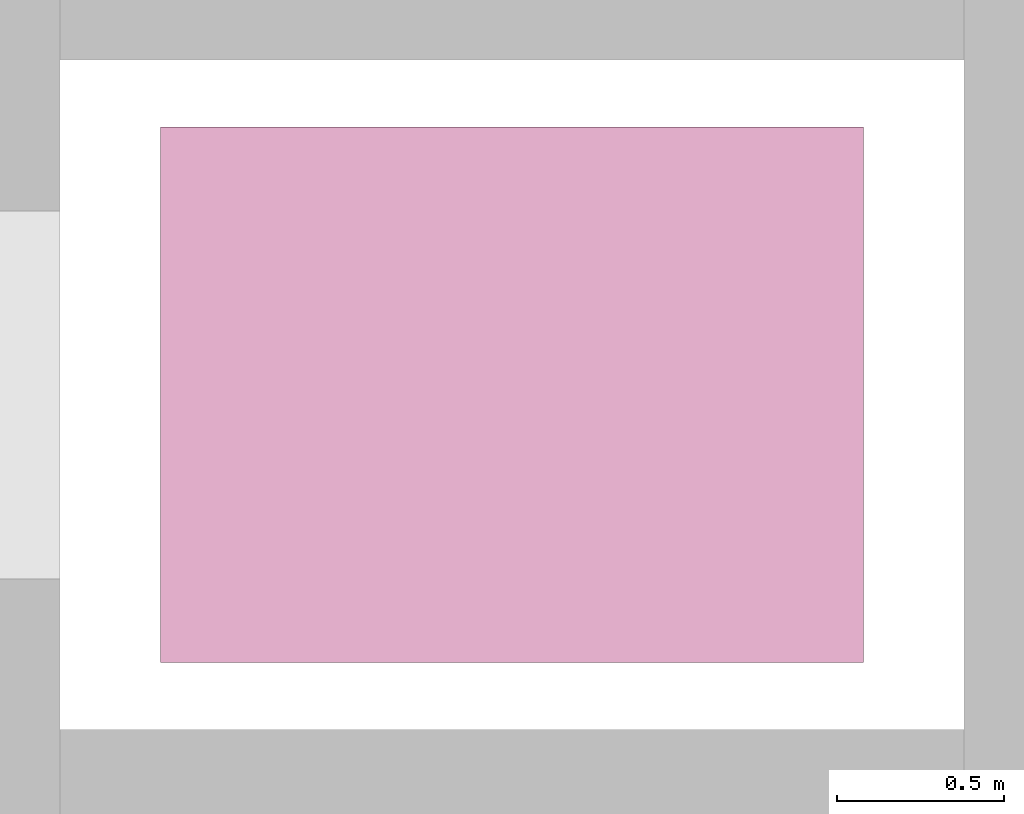
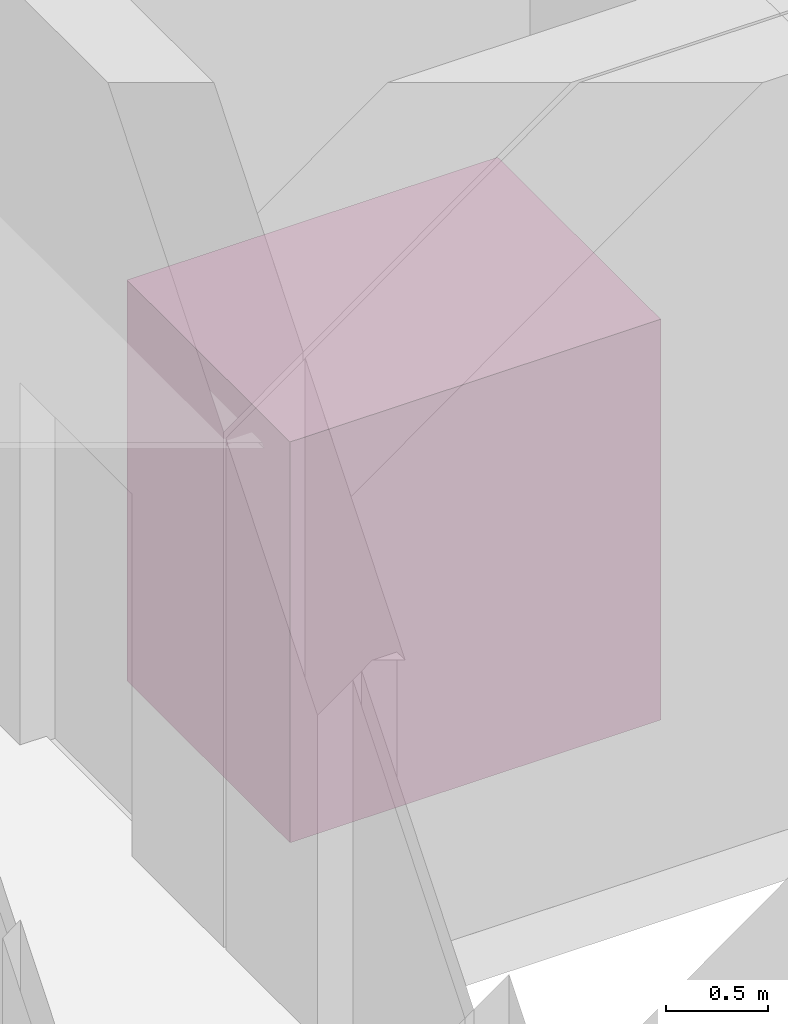
# One storey, part 57 of 57: 1 transport element.
"""IFC4 building model written with IfcOpenShell, lengths in metres."""

from ifc_helpers import new_model, si_unit, direction, frame, origin, origin_2d, place, context, subcontext, project, spatial, rectangle, extrude, material, type_object, element, save


model = new_model("IFC4")

# Units and contexts
model_context = context("Model", 3, precision=1e-05, world=origin(), true_north=direction((0.0, 1.0)))
body_context = subcontext(model_context, "Body", "Model", "MODEL_VIEW")
ifc_project = project(units=[si_unit("LENGTHUNIT", "METRE"), si_unit("AREAUNIT", "SQUARE_METRE"), si_unit("VOLUMEUNIT", "CUBIC_METRE"), si_unit("PLANEANGLEUNIT", "RADIAN"), si_unit("MASSUNIT", "GRAM", prefix="KILO")], contexts=[model_context])

# Site, building, storey
site_placement = place(None, origin())
site = spatial("IfcSite", under=ifc_project, at=site_placement, CompositionType="ELEMENT")
building_placement = place(site_placement, origin())
building = spatial("IfcBuilding", under=site, at=building_placement, Name="Qandaris Square Conservatory and Botanical Centre", CompositionType="ELEMENT")
storey_placement = place(building_placement, frame((0.0, 0.0, 5.39990234375)))
storey = spatial("IfcBuildingStorey", under=building, at=storey_placement, Name="L01", CompositionType="ELEMENT", Elevation=5.39990234375)

# Transport element
ifc_material = material(Name="Stainless Steel", Category="steel")
transport_element_type = type_object("IfcTransportElementType", Name="Stretcher Passenger Lift Car 1600x2100", PredefinedType="ELEVATOR", material=ifc_material)
transport_element_placement = place(storey_placement, frame((153.10009765625, 31.639892578125, 0.000244140625), z_axis=(0.0, 0.0, 1.0), x_axis=(1.0, 0.0, 0.0)))
element("IfcTransportElement", 1, at=transport_element_placement, inside=storey, type_object=transport_element_type, Name="Passenger Lift PL3 (PL3)", PredefinedType="ELEVATOR", context=body_context, shape_type="SweptSolid", body=[
    extrude(rectangle(XDim=2.10009765625, YDim=1.60009765625, at=origin_2d()), origin(), (0.0, 0.0, 1.0), 2.39990234375),
])

save(model, "model.ifc")
